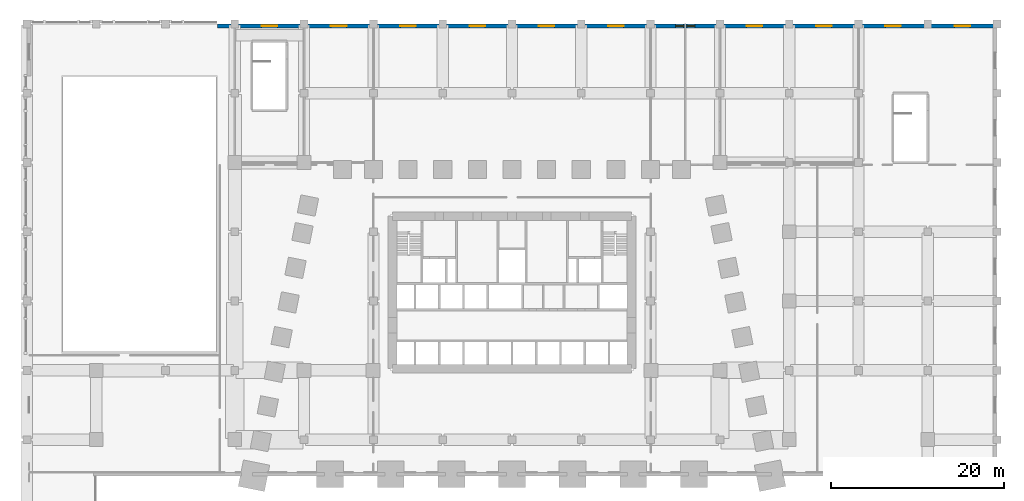
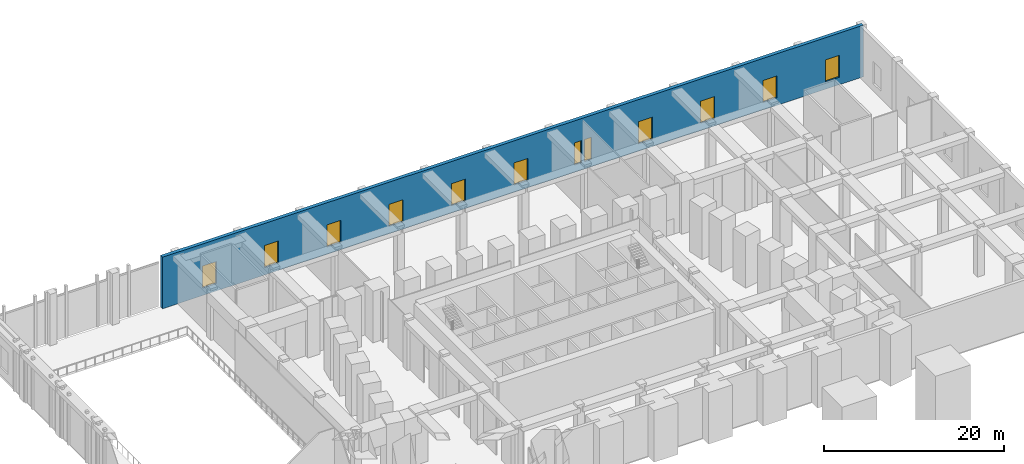
# One storey, part 12 of 18: 12 windows, 1 wall, 12 openings.
"""IFC4 building model written with IfcOpenShell, lengths in metres."""

from ifc_helpers import new_model, si_unit, direction, frame, frame_2d, origin, place, context, subcontext, project, spatial, rectangle, extrude, material, layer, layer_set, type_object, element, fill, save


model = new_model("IFC4")

# Units and contexts
model_context = context("Model", 3, precision=1e-05, world=origin(), true_north=direction((0.0, 1.0)))
body_context = subcontext(model_context, "Body", "Model", "MODEL_VIEW")
ifc_project = project(units=[si_unit("LENGTHUNIT", "METRE"), si_unit("AREAUNIT", "SQUARE_METRE"), si_unit("VOLUMEUNIT", "CUBIC_METRE"), si_unit("PLANEANGLEUNIT", "RADIAN"), si_unit("MASSUNIT", "GRAM", prefix="KILO")], contexts=[model_context])

# Site, building, storey
site_placement = place(None, origin())
site = spatial("IfcSite", under=ifc_project, at=site_placement, CompositionType="ELEMENT")
building_placement = place(site_placement, origin())
building = spatial("IfcBuilding", under=site, at=building_placement, Name="Isbrekke Arena Tower", CompositionType="ELEMENT")
storey_placement = place(building_placement, frame((0.0, 0.0, 12.0)))
storey = spatial("IfcBuildingStorey", under=building, at=storey_placement, Name="L02", CompositionType="ELEMENT", Elevation=12.0)

# Wall, openings, windows
ifc_material_1 = material(Name="Pale brick facing on concrete backing wall", Category="masonry")
ifc_layer = layer(ifc_material_1, 0.449951171875)
ifc_layer_set = layer_set([ifc_layer], Name="EW1 PODIUM BRICK WALL 450")
wall_type = type_object("IfcWallType", Name="EW1 PODIUM BRICK WALL 450", PredefinedType="SOLIDWALL", material=ifc_layer_set)
wall_placement = place(storey_placement, frame((56.0, 45.77490234375, 0.0), z_axis=(0.0, 0.0, 1.0), x_axis=(-1.0, 0.0, 0.0)))
wall = element("IfcWall", 1, at=wall_placement, inside=storey, type_object=wall_type, Name="EW1 podium wall N1 L02", PredefinedType="SOLIDWALL", context=body_context, shape_type="SweptSolid", body=[
    extrude(rectangle(XDim=90.0, YDim=0.449951171875, at=frame_2d((45.0, 0.0))), origin(), (0.0, 0.0, 1.0), 7.0),
])
opening_1_placement = place(wall_placement, frame((3.10009765625, 0.0, 1.0)))
opening_1 = element("IfcOpeningElement", 2, at=opening_1_placement, cuts=wall, Name="Opening WN2", PredefinedType="OPENING", context=body_context, shape_type="SweptSolid", body=[
    extrude(rectangle(XDim=1.800048828125, YDim=3.0, at=frame_2d((0.89990234375, 1.5))), frame((0.0, 0.23974609375, 0.0), z_axis=(0.0, -1.0, 0.0), x_axis=(1.0, 0.0, 0.0)), (0.0, 0.0, 1.0), 0.479736328125),
])
opening_2_placement = place(wall_placement, frame((11.10009765625, 0.0, 1.0)))
opening_2 = element("IfcOpeningElement", 3, at=opening_2_placement, cuts=wall, Name="Opening WN2", PredefinedType="OPENING", context=body_context, shape_type="SweptSolid", body=[
    extrude(rectangle(XDim=1.800048828125, YDim=3.0, at=frame_2d((0.89990234375, 1.5))), frame((0.0, 0.23974609375, 0.0), z_axis=(0.0, -1.0, 0.0), x_axis=(1.0, 0.0, 0.0)), (0.0, 0.0, 1.0), 0.479736328125),
])
opening_3_placement = place(wall_placement, frame((19.10009765625, 0.0, 1.0)))
opening_3 = element("IfcOpeningElement", 4, at=opening_3_placement, cuts=wall, Name="Opening WN2", PredefinedType="OPENING", context=body_context, shape_type="SweptSolid", body=[
    extrude(rectangle(XDim=1.800048828125, YDim=3.0, at=frame_2d((0.89990234375, 1.5))), frame((0.0, 0.23974609375, 0.0), z_axis=(0.0, -1.0, 0.0), x_axis=(1.0, 0.0, 0.0)), (0.0, 0.0, 1.0), 0.479736328125),
])
opening_4_placement = place(wall_placement, frame((27.10009765625, 0.0, 1.0)))
opening_4 = element("IfcOpeningElement", 5, at=opening_4_placement, cuts=wall, Name="Opening WN2", PredefinedType="OPENING", context=body_context, shape_type="SweptSolid", body=[
    extrude(rectangle(XDim=1.800048828125, YDim=3.0, at=frame_2d((0.89990234375, 1.5))), frame((0.0, 0.23974609375, 0.0), z_axis=(0.0, -1.0, 0.0), x_axis=(1.0, 0.0, 0.0)), (0.0, 0.0, 1.0), 0.479736328125),
])
opening_5_placement = place(wall_placement, frame((34.89990234375, 0.0, 1.0)))
opening_5 = element("IfcOpeningElement", 6, at=opening_5_placement, cuts=wall, Name="Opening WN4", PredefinedType="OPENING", context=body_context, shape_type="SweptSolid", body=[
    extrude(rectangle(XDim=0.89990234375, YDim=3.0, at=frame_2d((0.449951171875, 1.5))), frame((0.0, 0.23974609375, 0.0), z_axis=(0.0, -1.0, 0.0), x_axis=(1.0, 0.0, 0.0)), (0.0, 0.0, 1.0), 0.479736328125),
])
opening_6_placement = place(wall_placement, frame((36.199951171875, 0.0, 1.0)))
opening_6 = element("IfcOpeningElement", 7, at=opening_6_placement, cuts=wall, Name="Opening WN4", PredefinedType="OPENING", context=body_context, shape_type="SweptSolid", body=[
    extrude(rectangle(XDim=0.89990234375, YDim=3.0, at=frame_2d((0.449951171875, 1.5))), frame((0.0, 0.23974609375, 0.0), z_axis=(0.0, -1.0, 0.0), x_axis=(1.0, 0.0, 0.0)), (0.0, 0.0, 1.0), 0.479736328125),
])
opening_7_placement = place(wall_placement, frame((43.10009765625, 0.0, 1.0)))
opening_7 = element("IfcOpeningElement", 8, at=opening_7_placement, cuts=wall, Name="Opening WN2", PredefinedType="OPENING", context=body_context, shape_type="SweptSolid", body=[
    extrude(rectangle(XDim=1.800048828125, YDim=3.0, at=frame_2d((0.89990234375, 1.5))), frame((0.0, 0.23974609375, 0.0), z_axis=(0.0, -1.0, 0.0), x_axis=(1.0, 0.0, 0.0)), (0.0, 0.0, 1.0), 0.479736328125),
])
opening_8_placement = place(wall_placement, frame((51.10009765625, 0.0, 1.0)))
opening_8 = element("IfcOpeningElement", 9, at=opening_8_placement, cuts=wall, Name="Opening WN2", PredefinedType="OPENING", context=body_context, shape_type="SweptSolid", body=[
    extrude(rectangle(XDim=1.800048828125, YDim=3.0, at=frame_2d((0.89990234375, 1.5))), frame((0.0, 0.23974609375, 0.0), z_axis=(0.0, -1.0, 0.0), x_axis=(1.0, 0.0, 0.0)), (0.0, 0.0, 1.0), 0.479736328125),
])
opening_9_placement = place(wall_placement, frame((59.10009765625, 0.0, 1.0)))
opening_9 = element("IfcOpeningElement", 10, at=opening_9_placement, cuts=wall, Name="Opening WN2", PredefinedType="OPENING", context=body_context, shape_type="SweptSolid", body=[
    extrude(rectangle(XDim=1.800048828125, YDim=3.0, at=frame_2d((0.89990234375, 1.5))), frame((0.0, 0.23974609375, 0.0), z_axis=(0.0, -1.0, 0.0), x_axis=(1.0, 0.0, 0.0)), (0.0, 0.0, 1.0), 0.479736328125),
])
opening_10_placement = place(wall_placement, frame((67.10009765625, 0.0, 1.0)))
opening_10 = element("IfcOpeningElement", 11, at=opening_10_placement, cuts=wall, Name="Opening WN2", PredefinedType="OPENING", context=body_context, shape_type="SweptSolid", body=[
    extrude(rectangle(XDim=1.800048828125, YDim=3.0, at=frame_2d((0.89990234375, 1.5))), frame((0.0, 0.23974609375, 0.0), z_axis=(0.0, -1.0, 0.0), x_axis=(1.0, 0.0, 0.0)), (0.0, 0.0, 1.0), 0.479736328125),
])
opening_11_placement = place(wall_placement, frame((75.10009765625, 0.0, 1.0)))
opening_11 = element("IfcOpeningElement", 12, at=opening_11_placement, cuts=wall, Name="Opening WN2", PredefinedType="OPENING", context=body_context, shape_type="SweptSolid", body=[
    extrude(rectangle(XDim=1.800048828125, YDim=3.0, at=frame_2d((0.89990234375, 1.5))), frame((0.0, 0.23974609375, 0.0), z_axis=(0.0, -1.0, 0.0), x_axis=(1.0, 0.0, 0.0)), (0.0, 0.0, 1.0), 0.479736328125),
])
opening_12_placement = place(wall_placement, frame((83.10009765625, 0.0, 1.0)))
opening_12 = element("IfcOpeningElement", 13, at=opening_12_placement, cuts=wall, Name="Opening WN2", PredefinedType="OPENING", context=body_context, shape_type="SweptSolid", body=[
    extrude(rectangle(XDim=1.800048828125, YDim=3.0, at=frame_2d((0.89990234375, 1.5))), frame((0.0, 0.23974609375, 0.0), z_axis=(0.0, -1.0, 0.0), x_axis=(1.0, 0.0, 0.0)), (0.0, 0.0, 1.0), 0.479736328125),
])
ifc_material_2 = material(Name="Timber-aluminium window, triple glazed", Category="wood")
window_type_1 = type_object("IfcWindowType", Name="WN2 PODIUM WINDOW 1800 x 3000", PartitioningType="SINGLE_PANEL", PredefinedType="WINDOW", material=ifc_material_2)
window_1_placement = place(opening_1_placement, origin())
window_1 = element("IfcWindow", 14, at=window_1_placement, inside=storey, type_object=window_type_1, Name="WN2 podium window N1-1", OverallHeight=3.0, OverallWidth=1.800048828125, PartitioningType="SINGLE_PANEL", PredefinedType="WINDOW", context=body_context, shape_type="SweptSolid", body=[
    extrude(rectangle(XDim=1.800048828125, YDim=3.0, at=frame_2d((0.89990234375, 1.5))), frame((0.0, 0.030029296875, 0.0), z_axis=(0.0, -1.0, 0.0), x_axis=(1.0, 0.0, 0.0)), (0.0, 0.0, 1.0), 0.06005859375),
])
fill(opening_1, window_1)
window_2_placement = place(opening_2_placement, origin())
window_2 = element("IfcWindow", 15, at=window_2_placement, inside=storey, type_object=window_type_1, Name="WN2 podium window N1-2", OverallHeight=3.0, OverallWidth=1.800048828125, PartitioningType="SINGLE_PANEL", PredefinedType="WINDOW", context=body_context, shape_type="SweptSolid", body=[
    extrude(rectangle(XDim=1.800048828125, YDim=3.0, at=frame_2d((0.89990234375, 1.5))), frame((0.0, 0.030029296875, 0.0), z_axis=(0.0, -1.0, 0.0), x_axis=(1.0, 0.0, 0.0)), (0.0, 0.0, 1.0), 0.06005859375),
])
fill(opening_2, window_2)
window_3_placement = place(opening_3_placement, origin())
window_3 = element("IfcWindow", 16, at=window_3_placement, inside=storey, type_object=window_type_1, Name="WN2 podium window N1-3", OverallHeight=3.0, OverallWidth=1.800048828125, PartitioningType="SINGLE_PANEL", PredefinedType="WINDOW", context=body_context, shape_type="SweptSolid", body=[
    extrude(rectangle(XDim=1.800048828125, YDim=3.0, at=frame_2d((0.89990234375, 1.5))), frame((0.0, 0.030029296875, 0.0), z_axis=(0.0, -1.0, 0.0), x_axis=(1.0, 0.0, 0.0)), (0.0, 0.0, 1.0), 0.06005859375),
])
fill(opening_3, window_3)
window_4_placement = place(opening_4_placement, origin())
window_4 = element("IfcWindow", 17, at=window_4_placement, inside=storey, type_object=window_type_1, Name="WN2 podium window N1-4", OverallHeight=3.0, OverallWidth=1.800048828125, PartitioningType="SINGLE_PANEL", PredefinedType="WINDOW", context=body_context, shape_type="SweptSolid", body=[
    extrude(rectangle(XDim=1.800048828125, YDim=3.0, at=frame_2d((0.89990234375, 1.5))), frame((0.0, 0.030029296875, 0.0), z_axis=(0.0, -1.0, 0.0), x_axis=(1.0, 0.0, 0.0)), (0.0, 0.0, 1.0), 0.06005859375),
])
fill(opening_4, window_4)
window_5_placement = place(opening_7_placement, origin())
window_5 = element("IfcWindow", 18, at=window_5_placement, inside=storey, type_object=window_type_1, Name="WN2 podium window N1-6", OverallHeight=3.0, OverallWidth=1.800048828125, PartitioningType="SINGLE_PANEL", PredefinedType="WINDOW", context=body_context, shape_type="SweptSolid", body=[
    extrude(rectangle(XDim=1.800048828125, YDim=3.0, at=frame_2d((0.89990234375, 1.5))), frame((0.0, 0.030029296875, 0.0), z_axis=(0.0, -1.0, 0.0), x_axis=(1.0, 0.0, 0.0)), (0.0, 0.0, 1.0), 0.06005859375),
])
fill(opening_7, window_5)
window_6_placement = place(opening_8_placement, origin())
window_6 = element("IfcWindow", 19, at=window_6_placement, inside=storey, type_object=window_type_1, Name="WN2 podium window N1-7", OverallHeight=3.0, OverallWidth=1.800048828125, PartitioningType="SINGLE_PANEL", PredefinedType="WINDOW", context=body_context, shape_type="SweptSolid", body=[
    extrude(rectangle(XDim=1.800048828125, YDim=3.0, at=frame_2d((0.89990234375, 1.5))), frame((0.0, 0.030029296875, 0.0), z_axis=(0.0, -1.0, 0.0), x_axis=(1.0, 0.0, 0.0)), (0.0, 0.0, 1.0), 0.06005859375),
])
fill(opening_8, window_6)
window_7_placement = place(opening_9_placement, origin())
window_7 = element("IfcWindow", 20, at=window_7_placement, inside=storey, type_object=window_type_1, Name="WN2 podium window N1-8", OverallHeight=3.0, OverallWidth=1.800048828125, PartitioningType="SINGLE_PANEL", PredefinedType="WINDOW", context=body_context, shape_type="SweptSolid", body=[
    extrude(rectangle(XDim=1.800048828125, YDim=3.0, at=frame_2d((0.89990234375, 1.5))), frame((0.0, 0.030029296875, 0.0), z_axis=(0.0, -1.0, 0.0), x_axis=(1.0, 0.0, 0.0)), (0.0, 0.0, 1.0), 0.06005859375),
])
fill(opening_9, window_7)
window_8_placement = place(opening_10_placement, origin())
window_8 = element("IfcWindow", 21, at=window_8_placement, inside=storey, type_object=window_type_1, Name="WN2 podium window N1-9", OverallHeight=3.0, OverallWidth=1.800048828125, PartitioningType="SINGLE_PANEL", PredefinedType="WINDOW", context=body_context, shape_type="SweptSolid", body=[
    extrude(rectangle(XDim=1.800048828125, YDim=3.0, at=frame_2d((0.89990234375, 1.5))), frame((0.0, 0.030029296875, 0.0), z_axis=(0.0, -1.0, 0.0), x_axis=(1.0, 0.0, 0.0)), (0.0, 0.0, 1.0), 0.06005859375),
])
fill(opening_10, window_8)
window_9_placement = place(opening_11_placement, origin())
window_9 = element("IfcWindow", 22, at=window_9_placement, inside=storey, type_object=window_type_1, Name="WN2 podium window N1-10", OverallHeight=3.0, OverallWidth=1.800048828125, PartitioningType="SINGLE_PANEL", PredefinedType="WINDOW", context=body_context, shape_type="SweptSolid", body=[
    extrude(rectangle(XDim=1.800048828125, YDim=3.0, at=frame_2d((0.89990234375, 1.5))), frame((0.0, 0.030029296875, 0.0), z_axis=(0.0, -1.0, 0.0), x_axis=(1.0, 0.0, 0.0)), (0.0, 0.0, 1.0), 0.06005859375),
])
fill(opening_11, window_9)
window_10_placement = place(opening_12_placement, origin())
window_10 = element("IfcWindow", 23, at=window_10_placement, inside=storey, type_object=window_type_1, Name="WN2 podium window N1-11", OverallHeight=3.0, OverallWidth=1.800048828125, PartitioningType="SINGLE_PANEL", PredefinedType="WINDOW", context=body_context, shape_type="SweptSolid", body=[
    extrude(rectangle(XDim=1.800048828125, YDim=3.0, at=frame_2d((0.89990234375, 1.5))), frame((0.0, 0.030029296875, 0.0), z_axis=(0.0, -1.0, 0.0), x_axis=(1.0, 0.0, 0.0)), (0.0, 0.0, 1.0), 0.06005859375),
])
fill(opening_12, window_10)
ifc_material_3 = material(Name="Timber-aluminium window, triple glazed", Category="wood")
window_type_2 = type_object("IfcWindowType", Name="WN4 PODIUM WINDOW 900 x 3000", PartitioningType="SINGLE_PANEL", PredefinedType="WINDOW", material=ifc_material_3)
window_11_placement = place(opening_5_placement, origin())
window_11 = element("IfcWindow", 24, at=window_11_placement, inside=storey, type_object=window_type_2, Name="WN4 podium window N1-5a", OverallHeight=3.0, OverallWidth=0.89990234375, PartitioningType="SINGLE_PANEL", PredefinedType="WINDOW", context=body_context, shape_type="SweptSolid", body=[
    extrude(rectangle(XDim=0.89990234375, YDim=3.0, at=frame_2d((0.449951171875, 1.5))), frame((0.0, 0.030029296875, 0.0), z_axis=(0.0, -1.0, 0.0), x_axis=(1.0, 0.0, 0.0)), (0.0, 0.0, 1.0), 0.06005859375),
])
fill(opening_5, window_11)
window_12_placement = place(opening_6_placement, origin())
window_12 = element("IfcWindow", 25, at=window_12_placement, inside=storey, type_object=window_type_2, Name="WN4 podium window N1-5b", OverallHeight=3.0, OverallWidth=0.89990234375, PartitioningType="SINGLE_PANEL", PredefinedType="WINDOW", context=body_context, shape_type="SweptSolid", body=[
    extrude(rectangle(XDim=0.89990234375, YDim=3.0, at=frame_2d((0.449951171875, 1.5))), frame((0.0, 0.030029296875, 0.0), z_axis=(0.0, -1.0, 0.0), x_axis=(1.0, 0.0, 0.0)), (0.0, 0.0, 1.0), 0.06005859375),
])
fill(opening_6, window_12)

save(model, "model.ifc")
